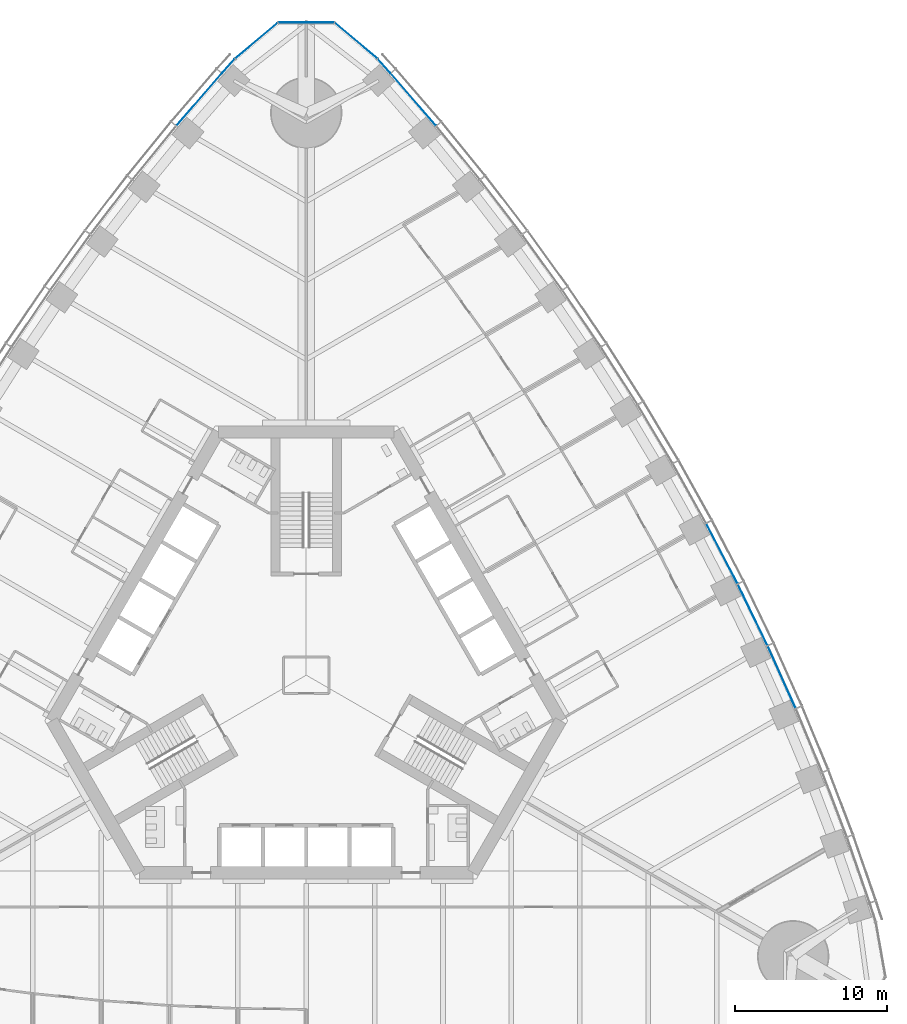
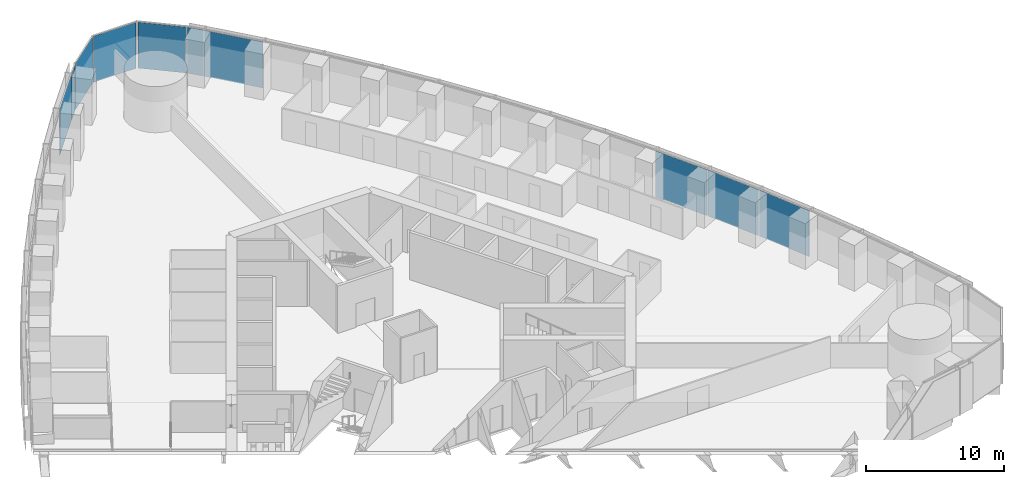
# One storey, part 9 of 18: 10 plates, 3 elements without a shape of their own.
"""IFC4 building model written with IfcOpenShell, lengths in metres."""

from ifc_helpers import new_model, si_unit, direction, frame, origin, origin_2d, place, context, subcontext, project, spatial, rectangle, extrude, material, layer, layer_set, type_object, element, aggregate, save


model = new_model("IFC4")

# Units and contexts
model_context = context("Model", 3, precision=1e-05, world=origin(), true_north=direction((0.0, 1.0)))
body_context = subcontext(model_context, "Body", "Model", "MODEL_VIEW")
ifc_project = project(units=[si_unit("LENGTHUNIT", "METRE"), si_unit("AREAUNIT", "SQUARE_METRE"), si_unit("VOLUMEUNIT", "CUBIC_METRE"), si_unit("PLANEANGLEUNIT", "RADIAN"), si_unit("MASSUNIT", "GRAM", prefix="KILO")], contexts=[model_context])

# Site, building, storey
site_placement = place(None, origin())
site = spatial("IfcSite", under=ifc_project, at=site_placement, CompositionType="ELEMENT")
building_placement = place(site_placement, origin())
building = spatial("IfcBuilding", under=site, at=building_placement, Name="Trefoil Bronze Tower", CompositionType="ELEMENT")
storey_placement = place(building_placement, frame((0.0, 0.0, 33.300048828125)))
storey = spatial("IfcBuildingStorey", under=building, at=storey_placement, Name="L07", CompositionType="ELEMENT", Elevation=33.300048828125)

# Curtain wall, plates
ifc_material_1 = material(Name="Tinted solar-control glass", Category="glass")
curtain_wall_type_1 = type_object("IfcCurtainWallType", Name="Bronze office curtain wall", PredefinedType="USERDEFINED", material=ifc_material_1)
curtain_wall_1_placement = place(storey_placement, origin())
curtain_wall_1 = element("IfcCurtainWall", 1, at=curtain_wall_1_placement, inside=storey, type_object=curtain_wall_type_1, Name="CW-A L07 F2", ObjectType="CURTAIN WALL", PredefinedType="USERDEFINED")
ifc_material_2 = material(Name="Tinted solar-control glass", Category="glass")
ifc_layer_1 = layer(ifc_material_2, 0.030029296875)
ifc_layer_set_1 = layer_set([ifc_layer_1], Name="Bronze office curtain wall glass panel")
plate_type_1 = type_object("IfcPlateType", Name="Bronze office curtain wall glass panel", PredefinedType="CURTAIN_PANEL", material=ifc_layer_set_1)
plate_1_placement = place(storey_placement, frame((31.28857421875, -0.1337890625, 0.0), z_axis=(0.0, 0.0, 1.0), x_axis=(-0.40945635808, 0.912329705111, 0.0)))
plate_1 = element("IfcPlate", 2, at=plate_1_placement, type_object=plate_type_1, Name="CW-A L07 F2 panel 5", PredefinedType="CURTAIN_PANEL", context=body_context, shape_type="SweptSolid", body=[
    extrude(rectangle(XDim=4.443359375, YDim=0.030029296875, at=origin_2d()), origin(), (0.0, 0.0, 1.0), 4.080078125),
])
plate_2_placement = place(storey_placement, frame((29.3779296875, 3.962646484375, 0.0), z_axis=(0.0, 0.0, 1.0), x_axis=(-0.4358553457, 0.900016731858, 0.0)))
plate_2 = element("IfcPlate", 3, at=plate_2_placement, type_object=plate_type_1, Name="CW-A L07 F2 panel 6", PredefinedType="CURTAIN_PANEL", context=body_context, shape_type="SweptSolid", body=[
    extrude(rectangle(XDim=4.431884765625, YDim=0.030029296875, at=origin_2d()), origin(), (0.0, 0.0, 1.0), 4.080078125),
])
plate_3_placement = place(storey_placement, frame((27.353271484375, 7.9931640625, 0.0), z_axis=(0.0, 0.0, 1.0), x_axis=(-0.46182981834, 0.886968555752, 0.0)))
plate_3 = element("IfcPlate", 4, at=plate_3_placement, type_object=plate_type_1, Name="CW-A L07 F2 panel 7", PredefinedType="CURTAIN_PANEL", context=body_context, shape_type="SweptSolid", body=[
    extrude(rectangle(XDim=4.42431640625, YDim=0.030029296875, at=origin_2d()), origin(), (0.0, 0.0, 1.0), 4.080078125),
])
plate_4_placement = place(storey_placement, frame((7.056396484375, 37.870849609375, 0.0), z_axis=(0.0, 0.0, 1.0), x_axis=(-0.654376090833, 0.756169248083, 0.0)))
plate_4 = element("IfcPlate", 5, at=plate_4_placement, type_object=plate_type_1, Name="CW-A L07 F2 panel 15", PredefinedType="CURTAIN_PANEL", context=body_context, shape_type="SweptSolid", body=[
    extrude(rectangle(XDim=4.502197265625, YDim=0.030029296875, at=origin_2d()), origin(), (0.0, 0.0, 1.0), 4.080078125),
])
plate_5_placement = place(storey_placement, frame((5.12451171875, 40.08447265625, 0.0), z_axis=(0.0, 0.0, 1.0), x_axis=(-0.668575006272, 0.743644714221, 0.0)))
plate_5 = element("IfcPlate", 6, at=plate_5_placement, type_object=plate_type_1, Name="CW-A L07 F2 panel 16", PredefinedType="CURTAIN_PANEL", context=body_context, shape_type="SweptSolid", body=[
    extrude(rectangle(XDim=1.21044921875, YDim=0.030029296875, at=origin_2d()), origin(), (0.0, 0.0, 1.0), 4.080078125),
])
aggregate(curtain_wall_1, [plate_1, plate_2, plate_3, plate_4, plate_5])

curtain_wall_2_placement = place(storey_placement, origin())
curtain_wall_2 = element("IfcCurtainWall", 7, at=curtain_wall_2_placement, inside=storey, type_object=curtain_wall_type_1, Name="CW-A L07 F3", ObjectType="CURTAIN WALL", PredefinedType="USERDEFINED")
plate_6_placement = place(storey_placement, frame((-5.12451171875, 40.08447265625, 0.0), z_axis=(0.0, 0.0, 1.0), x_axis=(-0.668575006272, -0.743644714221, 0.0)))
plate_6 = element("IfcPlate", 8, at=plate_6_placement, type_object=plate_type_1, Name="CW-A L07 F3 panel 1", PredefinedType="CURTAIN_PANEL", context=body_context, shape_type="SweptSolid", body=[
    extrude(rectangle(XDim=1.21044921875, YDim=0.030029296875, at=origin_2d()), origin(), (0.0, 0.0, 1.0), 4.080078125),
])
plate_7_placement = place(storey_placement, frame((-7.056396484375, 37.870849609375, 0.0), z_axis=(0.0, 0.0, 1.0), x_axis=(-0.654376090833, -0.756169248083, 0.0)))
plate_7 = element("IfcPlate", 9, at=plate_7_placement, type_object=plate_type_1, Name="CW-A L07 F3 panel 2", PredefinedType="CURTAIN_PANEL", context=body_context, shape_type="SweptSolid", body=[
    extrude(rectangle(XDim=4.502197265625, YDim=0.030029296875, at=origin_2d()), origin(), (0.0, 0.0, 1.0), 4.080078125),
])
aggregate(curtain_wall_2, [plate_6, plate_7])

ifc_material_3 = material(Name="Tinted solar-control glass", Category="glass")
curtain_wall_type_2 = type_object("IfcCurtainWallType", Name="Bronze rounded corner curtain wall", PredefinedType="USERDEFINED", material=ifc_material_3)
curtain_wall_3_placement = place(storey_placement, origin())
curtain_wall_3 = element("IfcCurtainWall", 10, at=curtain_wall_3_placement, inside=storey, type_object=curtain_wall_type_2, Name="CW-B L07 K2", ObjectType="CURTAIN WALL", PredefinedType="USERDEFINED")
ifc_material_4 = material(Name="Tinted solar-control glass", Category="glass")
ifc_layer_2 = layer(ifc_material_4, 0.030029296875)
ifc_layer_set_2 = layer_set([ifc_layer_2], Name="Bronze rounded corner curtain wall glass panel")
plate_type_2 = type_object("IfcPlateType", Name="Bronze rounded corner curtain wall glass panel", PredefinedType="CURTAIN_PANEL", material=ifc_layer_set_2)
plate_8_placement = place(storey_placement, frame((3.28564453125, 41.74658203125, 0.0), z_axis=(0.0, 0.0, 1.0), x_axis=(-0.766044443119, 0.642787609687, 0.0)))
plate_8 = element("IfcPlate", 11, at=plate_8_placement, type_object=plate_type_2, Name="CW-B L07 K2 panel 1", PredefinedType="CURTAIN_PANEL", context=body_context, shape_type="SweptSolid", body=[
    extrude(rectangle(XDim=3.588134765625, YDim=0.030029296875, at=origin_2d()), origin(), (0.0, 0.0, 1.0), 4.080078125),
])
plate_9_placement = place(storey_placement, frame((0.0, 42.9423828125, 0.0), z_axis=(0.0, 0.0, 1.0), x_axis=(-1.0, 0.0, 0.0)))
plate_9 = element("IfcPlate", 12, at=plate_9_placement, type_object=plate_type_2, Name="CW-B L07 K2 panel 2", PredefinedType="CURTAIN_PANEL", context=body_context, shape_type="SweptSolid", body=[
    extrude(rectangle(XDim=3.588134765625, YDim=0.030029296875, at=origin_2d()), origin(), (0.0, 0.0, 1.0), 4.080078125),
])
plate_10_placement = place(storey_placement, frame((-3.28564453125, 41.74658203125, 0.0), z_axis=(0.0, 0.0, 1.0), x_axis=(-0.766044443119, -0.642787609687, 0.0)))
plate_10 = element("IfcPlate", 13, at=plate_10_placement, type_object=plate_type_2, Name="CW-B L07 K2 panel 3", PredefinedType="CURTAIN_PANEL", context=body_context, shape_type="SweptSolid", body=[
    extrude(rectangle(XDim=3.588134765625, YDim=0.030029296875, at=origin_2d()), origin(), (0.0, 0.0, 1.0), 4.080078125),
])
aggregate(curtain_wall_3, [plate_8, plate_9, plate_10])

save(model, "model.ifc")
